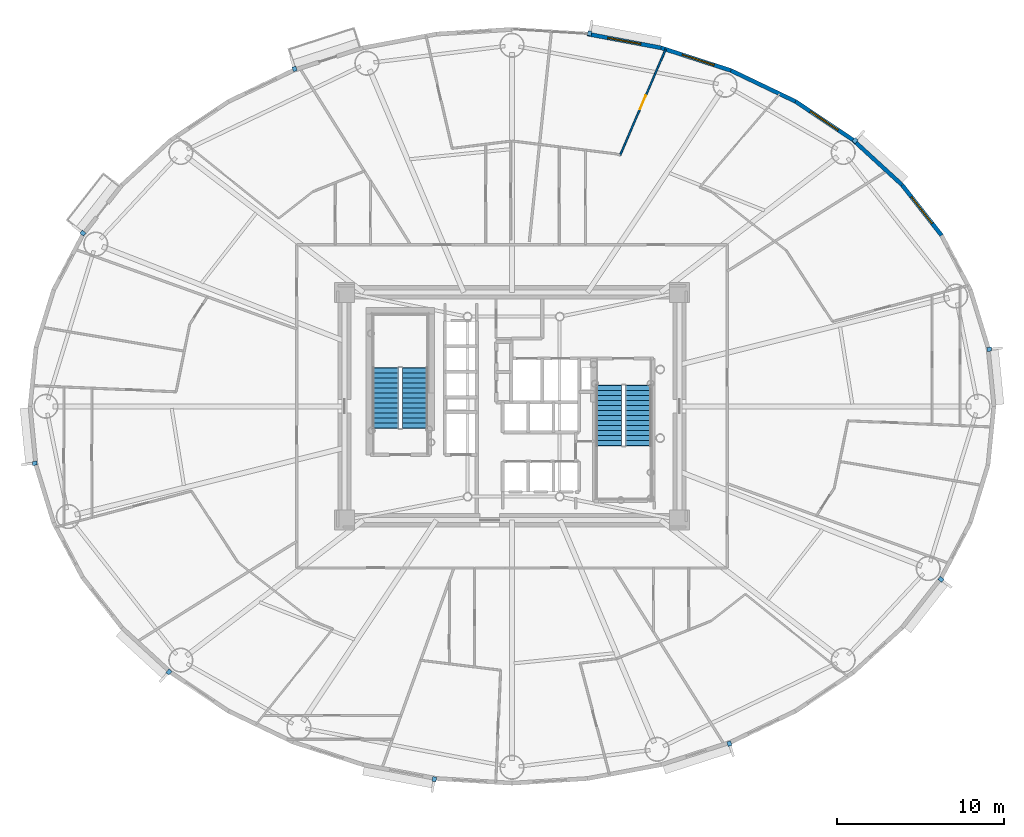
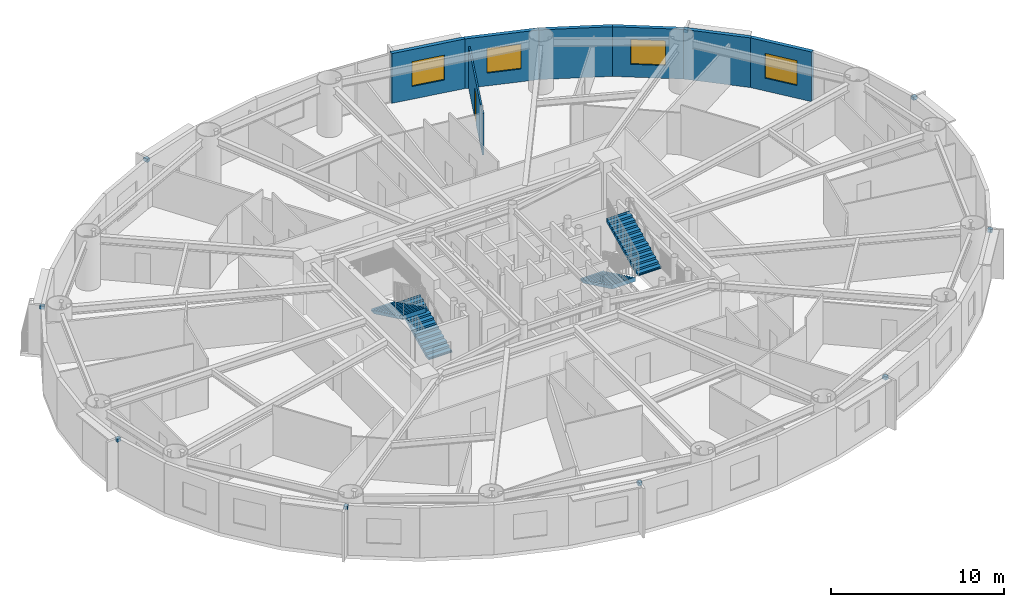
# One storey, part 13 of 19: 10 discrete accessories, 7 walls, 4 stair flights, 4 windows, 1 door, 5 openings, 2 elements without a shape of their own.
"""IFC4 building model written with IfcOpenShell, lengths in metres."""

from ifc_helpers import new_model, si_unit, direction, frame, frame_2d, origin, origin_2d, place, context, subcontext, project, spatial, polyline, rectangle, outline, extrude, source, transform, mapped, material, layer, layer_set, type_object, element, fill, aggregate, save


model = new_model("IFC4")

# Units and contexts
model_context = context("Model", 3, precision=1e-05, world=origin(), true_north=direction((0.0, 1.0)))
body_context = subcontext(model_context, "Body", "Model", "MODEL_VIEW")
ifc_project = project(units=[si_unit("LENGTHUNIT", "METRE"), si_unit("AREAUNIT", "SQUARE_METRE"), si_unit("VOLUMEUNIT", "CUBIC_METRE"), si_unit("PLANEANGLEUNIT", "RADIAN"), si_unit("MASSUNIT", "GRAM", prefix="KILO")], contexts=[model_context])

# Site, building, storey
site_placement = place(None, origin())
site = spatial("IfcSite", under=ifc_project, at=site_placement, CompositionType="ELEMENT")
building_placement = place(site_placement, origin())
building = spatial("IfcBuilding", under=site, at=building_placement, Name="Linh Dai School and Residence Tower", CompositionType="ELEMENT")
storey_placement = place(building_placement, frame((0.0, 0.0, 119.699951171875)))
storey = spatial("IfcBuildingStorey", under=building, at=storey_placement, Name="L28", CompositionType="ELEMENT", Elevation=119.699951171875)

# Wall, opening, window
ifc_material_1 = material(Name="Precast Concrete B45 (C35/45)", Category="concrete")
ifc_layer_1 = layer(ifc_material_1, 0.239990234375)
ifc_layer_set_1 = layer_set([ifc_layer_1], Name="Precast Concrete B45 (C35/45)")
wall_type_1 = type_object("IfcWallType", Name="EW-TC-240", PredefinedType="SOLIDWALL", material=ifc_layer_set_1)
wall_1_placement = place(storey_placement, frame((59.2890625, 40.216552734375, 0.0), z_axis=(0.0, 0.0, 1.0), x_axis=(0.616272103517, -0.787533297345, 0.0)))
wall_1 = element("IfcWall", 1, at=wall_1_placement, inside=storey, type_object=wall_type_1, Name="L28 Terracotta Exterior Wall 04", PredefinedType="SOLIDWALL", context=body_context, shape_type="SweptSolid", body=[
    extrude(rectangle(XDim=3.8232421875, YDim=0.239990234375, at=frame_2d((1.91162109375, 0.0))), origin(), (0.0, 0.0, 1.0), 3.5),
])
opening_1_placement = place(wall_1_placement, frame((0.91162109375, 0.0, 0.89990234375)))
opening_1 = element("IfcOpeningElement", 2, at=opening_1_placement, cuts=wall_1, Name="Opening W1", PredefinedType="OPENING", context=body_context, shape_type="SweptSolid", body=[
    extrude(rectangle(XDim=2.0, YDim=1.75, at=origin_2d()), frame((1.0, 0.1298828125, 0.875), z_axis=(0.0, -1.0, 0.0), x_axis=(1.0, 0.0, 0.0)), (0.0, 0.0, 1.0), 0.260009765625),
])
ifc_material_2 = material(Name="Double Low-E Insulated Glazing", Category="glass")
window_type = type_object("IfcWindowType", Name="WN-RES-2000x1750", PartitioningType="DOUBLE_PANEL_VERTICAL", PredefinedType="WINDOW", material=ifc_material_2)
shared_shape_1 = source(origin(), body_context, "Body", "SweptSolid", [
    extrude(rectangle(XDim=2.0, YDim=1.75, at=origin_2d()), frame((1.0, 0.030029296875, 0.875), z_axis=(0.0, -1.0, 0.0), x_axis=(1.0, 0.0, 0.0)), (0.0, 0.0, 1.0), 0.06005859375),
])
window_1_placement = place(opening_1_placement, origin())
window_1 = element("IfcWindow", 3, at=window_1_placement, inside=storey, type_object=window_type, Name="L28 Exterior Window 04.1", OverallHeight=1.75, OverallWidth=2.0, PartitioningType="DOUBLE_PANEL_VERTICAL", PredefinedType="WINDOW", context=body_context, shape_type="MappedRepresentation", body=[
    mapped(shared_shape_1, transform((0.0, 0.0, 0.0), x_axis=(1.0, 0.0, 0.0), y_axis=(0.0, 1.0, 0.0), z_axis=(0.0, 0.0, 1.0), scale=1.0)),
])
fill(opening_1, window_1)

# Wall
wall_2_placement = place(storey_placement, frame((56.3583984375, 42.9033203125, 0.0), z_axis=(0.0, 0.0, 1.0), x_axis=(0.737113356241, -0.675769117414, 0.0)))
element("IfcWall", 4, at=wall_2_placement, inside=storey, type_object=wall_type_1, Name="L28 Terracotta Exterior Wall 05", PredefinedType="SOLIDWALL", context=body_context, shape_type="SweptSolid", body=[
    extrude(rectangle(XDim=3.975830078125, YDim=0.239990234375, at=frame_2d((1.98779296875, 0.0))), origin(), (0.0, 0.0, 1.0), 3.5),
])

# Wall, opening, window
wall_3_placement = place(storey_placement, frame((52.92529296875, 45.199462890625, 0.0), z_axis=(0.0, 0.0, 1.0), x_axis=(0.831221811447, -0.555940914284, 0.0)))
wall_3 = element("IfcWall", 5, at=wall_3_placement, inside=storey, type_object=wall_type_1, Name="L28 Terracotta Exterior Wall 06", PredefinedType="SOLIDWALL", context=body_context, shape_type="SweptSolid", body=[
    extrude(rectangle(XDim=4.130126953125, YDim=0.239990234375, at=frame_2d((2.06494140625, 0.0))), origin(), (0.0, 0.0, 1.0), 3.5),
])
opening_2_placement = place(wall_3_placement, frame((1.06494140625, 0.0, 0.89990234375)))
opening_2 = element("IfcOpeningElement", 6, at=opening_2_placement, cuts=wall_3, Name="Opening W1", PredefinedType="OPENING", context=body_context, shape_type="SweptSolid", body=[
    extrude(rectangle(XDim=2.0, YDim=1.75, at=origin_2d()), frame((1.0, 0.1298828125, 0.875), z_axis=(0.0, -1.0, 0.0), x_axis=(1.0, 0.0, 0.0)), (0.0, 0.0, 1.0), 0.260009765625),
])
window_2_placement = place(opening_2_placement, origin())
window_2 = element("IfcWindow", 7, at=window_2_placement, inside=storey, type_object=window_type, Name="L28 Exterior Window 06.1", OverallHeight=1.75, OverallWidth=2.0, PartitioningType="DOUBLE_PANEL_VERTICAL", PredefinedType="WINDOW", context=body_context, shape_type="MappedRepresentation", body=[
    mapped(shared_shape_1, transform((0.0, 0.0, 0.0), x_axis=(1.0, 0.0, 0.0), y_axis=(0.0, 1.0, 0.0), z_axis=(0.0, 0.0, 1.0), scale=1.0)),
])
fill(opening_2, window_2)

# Wall
wall_4_placement = place(storey_placement, frame((49.073974609375, 47.04736328125, 0.0), z_axis=(0.0, 0.0, 1.0), x_axis=(0.901589935876, -0.432591709962, 0.0)))
element("IfcWall", 8, at=wall_4_placement, inside=storey, type_object=wall_type_1, Name="L28 Terracotta Exterior Wall 07", PredefinedType="SOLIDWALL", context=body_context, shape_type="SweptSolid", body=[
    extrude(rectangle(XDim=4.271728515625, YDim=0.239990234375, at=frame_2d((2.1357421875, 0.0))), origin(), (0.0, 0.0, 1.0), 3.5),
])

# Wall, opening, window
wall_5_placement = place(storey_placement, frame((44.899658203125, 48.4013671875, 0.0), z_axis=(0.0, 0.0, 1.0), x_axis=(0.951211346073, -0.308540070495, 0.0)))
wall_5 = element("IfcWall", 9, at=wall_5_placement, inside=storey, type_object=wall_type_1, Name="L28 Terracotta Exterior Wall 08", PredefinedType="SOLIDWALL", context=body_context, shape_type="SweptSolid", body=[
    extrude(rectangle(XDim=4.388427734375, YDim=0.239990234375, at=frame_2d((2.1943359375, 0.0))), origin(), (0.0, 0.0, 1.0), 3.5),
])
opening_3_placement = place(wall_5_placement, frame((1.329345703125, 0.0, 0.89990234375)))
opening_3 = element("IfcOpeningElement", 10, at=opening_3_placement, cuts=wall_5, Name="Opening W1", PredefinedType="OPENING", context=body_context, shape_type="SweptSolid", body=[
    extrude(rectangle(XDim=2.0, YDim=1.75, at=origin_2d()), frame((1.0, 0.1298828125, 0.875), z_axis=(0.0, -1.0, 0.0), x_axis=(1.0, 0.0, 0.0)), (0.0, 0.0, 1.0), 0.260009765625),
])
window_3_placement = place(opening_3_placement, origin())
window_3 = element("IfcWindow", 11, at=window_3_placement, inside=storey, type_object=window_type, Name="L28 Exterior Window 08.1", OverallHeight=1.75, OverallWidth=2.0, PartitioningType="DOUBLE_PANEL_VERTICAL", PredefinedType="WINDOW", context=body_context, shape_type="MappedRepresentation", body=[
    mapped(shared_shape_1, transform((0.0, 0.0, 0.0), x_axis=(1.0, 0.0, 0.0), y_axis=(0.0, 1.0, 0.0), z_axis=(0.0, 0.0, 1.0), scale=1.0)),
])
fill(opening_3, window_3)

wall_6_placement = place(storey_placement, frame((40.505615234375, 49.227294921875, 0.0), z_axis=(0.0, 0.0, 1.0), x_axis=(0.982789252177, -0.184730305596, 0.0)))
wall_6 = element("IfcWall", 12, at=wall_6_placement, inside=storey, type_object=wall_type_1, Name="L28 Terracotta Exterior Wall 09", PredefinedType="SOLIDWALL", context=body_context, shape_type="SweptSolid", body=[
    extrude(rectangle(XDim=4.470947265625, YDim=0.239990234375, at=frame_2d((2.2353515625, 0.0))), origin(), (0.0, 0.0, 1.0), 3.5),
])
opening_4_placement = place(wall_6_placement, frame((1.235595703125, 0.0, 0.89990234375)))
opening_4 = element("IfcOpeningElement", 13, at=opening_4_placement, cuts=wall_6, Name="Opening W1", PredefinedType="OPENING", context=body_context, shape_type="SweptSolid", body=[
    extrude(rectangle(XDim=2.0, YDim=1.75, at=origin_2d()), frame((1.0, 0.1298828125, 0.875), z_axis=(0.0, -1.0, 0.0), x_axis=(1.0, 0.0, 0.0)), (0.0, 0.0, 1.0), 0.260009765625),
])
window_4_placement = place(opening_4_placement, origin())
window_4 = element("IfcWindow", 14, at=window_4_placement, inside=storey, type_object=window_type, Name="L28 Exterior Window 09.1", OverallHeight=1.75, OverallWidth=2.0, PartitioningType="DOUBLE_PANEL_VERTICAL", PredefinedType="WINDOW", context=body_context, shape_type="MappedRepresentation", body=[
    mapped(shared_shape_1, transform((0.0, 0.0, 0.0), x_axis=(1.0, 0.0, 0.0), y_axis=(0.0, 1.0, 0.0), z_axis=(0.0, 0.0, 1.0), scale=1.0)),
])
fill(opening_4, window_4)

# Wall, opening, door
ifc_material_3 = material(Name="Gypsum Plasterboard Acoustic Stud Partition", Category="masonry")
ifc_layer_2 = layer(ifc_material_3, 0.10009765625)
ifc_layer_set_2 = layer_set([ifc_layer_2], Name="Gypsum Plasterboard Acoustic Stud Partition")
wall_type_2 = type_object("IfcWallType", Name="IW-UNIT-100", PredefinedType="PARTITIONING", material=ifc_layer_set_2)
wall_7_placement = place(storey_placement, frame((42.451904296875, 41.985595703125, 0.0), z_axis=(0.0, 0.0, 1.0), x_axis=(0.395466235438, 0.918480515105, 0.0)))
wall_7 = element("IfcWall", 15, at=wall_7_placement, inside=storey, type_object=wall_type_2, Name="L28 Interior Partition Wall 081", PredefinedType="PARTITIONING", context=body_context, shape_type="SweptSolid", body=[
    extrude(rectangle(XDim=6.892578125, YDim=0.10009765625, at=frame_2d((3.4462890625, 0.0))), origin(), (0.0, 0.0, 1.0), 2.93505859375),
])
opening_5_placement = place(wall_7_placement, frame((2.996337890625, 0.0, 0.0)))
opening_5 = element("IfcOpeningElement", 16, at=opening_5_placement, cuts=wall_7, Name="Opening D05", PredefinedType="OPENING", context=body_context, shape_type="SweptSolid", body=[
    extrude(rectangle(XDim=0.89990234375, YDim=2.10009765625, at=origin_2d()), frame((0.449951171875, 0.06005859375, 1.050048828125), z_axis=(0.0, -1.0, 0.0), x_axis=(1.0, 0.0, 0.0)), (0.0, 0.0, 1.0), 0.1201171875),
])
ifc_material_4 = material(Name="Engineered Timber Internal Door", Category="wood")
door_type = type_object("IfcDoorType", Name="DR-INT-900x2100", OperationType="NOTDEFINED", PredefinedType="DOOR", material=ifc_material_4)
shared_shape_2 = source(origin(), body_context, "Body", "SweptSolid", [
    extrude(rectangle(XDim=0.89990234375, YDim=2.10009765625, at=origin_2d()), frame((0.449951171875, 0.02490234375, 1.050048828125), z_axis=(0.0, -1.0, 0.0), x_axis=(1.0, 0.0, 0.0)), (0.0, 0.0, 1.0), 0.050048828125),
])
door_placement = place(opening_5_placement, origin())
door = element("IfcDoor", 17, at=door_placement, inside=storey, type_object=door_type, Name="L28 Apartment U2808 Principal Bedroom 2 Door", OperationType="SINGLE_SWING_RIGHT", OverallHeight=2.10009765625, OverallWidth=0.89990234375, PredefinedType="DOOR", context=body_context, shape_type="MappedRepresentation", body=[
    mapped(shared_shape_2, transform((0.0, 0.0, 0.0), x_axis=(1.0, 0.0, 0.0), y_axis=(0.0, 1.0, 0.0), z_axis=(0.0, 0.0, 1.0), scale=1.0)),
])
fill(opening_5, door)

# Stair, stair flights
ifc_material_5 = material(Name="Concrete B45 (C35/45)", Category="concrete")
stair_type = type_object("IfcStairType", Name="ST-DOG-1550-R1442", PredefinedType="HALF_TURN_STAIR", material=ifc_material_5)
stair_1_placement = place(storey_placement, origin())
stair_1 = element("IfcStair", 18, at=stair_1_placement, inside=storey, type_object=stair_type, Name="L28 Core Smokeproof Exit Stair ST1", PredefinedType="HALF_TURN_STAIR")
stair_flight_type = type_object("IfcStairFlightType", Name="STF-STR-1550-R1442", PredefinedType="STRAIGHT", material=ifc_material_5)
shared_shape_3 = source(origin(), body_context, "Body", "SweptSolid", [
    extrude(outline(polyline([(-0.02490234375, 0.0), (-0.02490234375, 0.06005859375), (0.0, 0.06005859375), (0.0, 0.144287109375), (0.300048828125, 0.144287109375), (0.300048828125, 0.28857421875), (0.60009765625, 0.28857421875), (0.60009765625, 0.4326171875), (0.89990234375, 0.4326171875), (0.89990234375, 0.576904296875), (1.199951171875, 0.576904296875), (1.199951171875, 0.72119140625), (1.5, 0.72119140625), (1.5, 0.865478515625), (1.800048828125, 0.865478515625), (1.800048828125, 1.009521484375), (2.10009765625, 1.009521484375), (2.10009765625, 1.15380859375), (2.39990234375, 1.15380859375), (2.39990234375, 1.298095703125), (2.699951171875, 1.298095703125), (2.699951171875, 1.4423828125), (3.0, 1.4423828125), (3.0, 1.58642578125), (3.300048828125, 1.58642578125), (3.300048828125, 1.730712890625), (3.60009765625, 1.730712890625), (3.60009765625, 1.875), (3.625, 1.875), (3.625, 1.564453125), (3.60009765625, 1.564453125), (0.345947265625, 0.0), (-0.02490234375, 0.0)])), frame((0.0, 0.77490234375, 0.0), z_axis=(0.0, -1.0, 0.0), x_axis=(1.0, 0.0, 0.0)), (0.0, 0.0, 1.0), 1.550048828125),
])
stair_flight_1_placement = place(storey_placement, frame((30.205078125, 25.699951171875, 0.0), z_axis=(0.0, 0.0, 1.0), x_axis=(0.0, 1.0, 0.0)))
stair_flight_1 = element("IfcStairFlight", 19, at=stair_flight_1_placement, type_object=stair_flight_type, Name="ST1 flight 1", NumberOfRisers=13, NumberOfTreads=12, PredefinedType="STRAIGHT", RiserHeight=0.144230769, TreadLength=0.3, context=body_context, shape_type="MappedRepresentation", body=[
    mapped(shared_shape_3, transform((0.0, 0.0, 0.0), x_axis=(1.0, 0.0, 0.0), y_axis=(0.0, 1.0, 0.0), z_axis=(0.0, 0.0, 1.0), scale=1.0)),
])
stair_flight_2_placement = place(storey_placement, frame((28.455078125, 29.300048828125, 1.875), z_axis=(0.0, 0.0, 1.0), x_axis=(0.0, -1.0, 0.0)))
stair_flight_2 = element("IfcStairFlight", 20, at=stair_flight_2_placement, type_object=stair_flight_type, Name="ST1 flight 2", NumberOfRisers=13, NumberOfTreads=12, PredefinedType="STRAIGHT", RiserHeight=0.144230769, TreadLength=0.3, context=body_context, shape_type="MappedRepresentation", body=[
    mapped(shared_shape_3, transform((0.0, 0.0, 0.0), x_axis=(1.0, 0.0, 0.0), y_axis=(0.0, 1.0, 0.0), z_axis=(0.0, 0.0, 1.0), scale=1.0)),
])
aggregate(stair_1, [stair_flight_1, stair_flight_2])

stair_2_placement = place(storey_placement, origin())
stair_2 = element("IfcStair", 21, at=stair_2_placement, inside=storey, type_object=stair_type, Name="L28 Core Smokeproof Exit Stair ST2", PredefinedType="HALF_TURN_STAIR")
stair_flight_3_placement = place(storey_placement, frame((41.794921875, 28.25, 0.0), z_axis=(0.0, 0.0, 1.0), x_axis=(0.0, -1.0, 0.0)))
stair_flight_3 = element("IfcStairFlight", 22, at=stair_flight_3_placement, type_object=stair_flight_type, Name="ST2 flight 1", NumberOfRisers=13, NumberOfTreads=12, PredefinedType="STRAIGHT", RiserHeight=0.144230769, TreadLength=0.3, context=body_context, shape_type="MappedRepresentation", body=[
    mapped(shared_shape_3, transform((0.0, 0.0, 0.0), x_axis=(1.0, 0.0, 0.0), y_axis=(0.0, 1.0, 0.0), z_axis=(0.0, 0.0, 1.0), scale=1.0)),
])
stair_flight_4_placement = place(storey_placement, frame((43.544921875, 24.64990234375, 1.875), z_axis=(0.0, 0.0, 1.0), x_axis=(0.0, 1.0, 0.0)))
stair_flight_4 = element("IfcStairFlight", 23, at=stair_flight_4_placement, type_object=stair_flight_type, Name="ST2 flight 2", NumberOfRisers=13, NumberOfTreads=12, PredefinedType="STRAIGHT", RiserHeight=0.144230769, TreadLength=0.3, context=body_context, shape_type="MappedRepresentation", body=[
    mapped(shared_shape_3, transform((0.0, 0.0, 0.0), x_axis=(1.0, 0.0, 0.0), y_axis=(0.0, 1.0, 0.0), z_axis=(0.0, 0.0, 1.0), scale=1.0)),
])
aggregate(stair_2, [stair_flight_3, stair_flight_4])

# Discrete accessories
ifc_material_6 = material(Name="Structural Steel S355JR", Category="steel")
discrete_accessory_type = type_object("IfcDiscreteAccessoryType", Name="ACC-BRK-S355", PredefinedType="BRACKET", material=ifc_material_6)
shared_shape_4 = source(origin(), body_context, "Body", "SweptSolid", [
    extrude(rectangle(XDim=0.280029296875, YDim=0.239990234375, at=origin_2d()), origin(), (0.0, 0.0, 1.0), 0.219970703125),
])
for number, where, z_axis, x_axis, name in (
    (24, (64.493408203125, 30.40185546875, 3.25), (0.0, 0.0, 1.0), (0.994986703684, 0.100007297192, 0.0), "L28 Facade Frame Anchor Bracket 01"),
    (25, (56.4873046875, 42.866455078125, 3.25), (0.0, 0.0, 1.0), (0.675783395482, 0.737100266172, 0.0), "L28 Facade Frame Anchor Bracket 05"),
    (26, (40.634521484375, 49.26416015625, 3.25), (0.0, 0.0, 1.0), (0.18475466193, 0.982784673718, 0.0), "L28 Facade Frame Anchor Bracket 09"),
    (27, (23.021728515625, 47.1416015625, 3.25), (0.0, 0.0, 1.0), (-0.308522363457, 0.951217089442, 0.0), "L28 Facade Frame Anchor Bracket 13"),
    (28, (10.38134765625, 37.337158203125, 3.25), (0.0, 0.0, 1.0), (-0.787507539838, 0.616305017583, 0.0), "L28 Facade Frame Anchor Bracket 17"),
    (29, (7.506591796875, 23.59814453125, 3.25), (0.0, 0.0, 1.0), (-0.994986703684, -0.100007297192, 0.0), "L28 Facade Frame Anchor Bracket 21"),
    (30, (15.5126953125, 11.133544921875, 3.25), (0.0, 0.0, 1.0), (-0.675783395482, -0.737100266172, 0.0), "L28 Facade Frame Anchor Bracket 25"),
    (31, (31.365478515625, 4.73583984375, 3.25), (0.0, 0.0, 1.0), (-0.18475466193, -0.982784673718, 0.0), "L28 Facade Frame Anchor Bracket 29"),
    (32, (48.978271484375, 6.8583984375, 3.25), (0.0, 0.0, 1.0), (0.308522363457, -0.951217089442, 0.0), "L28 Facade Frame Anchor Bracket 33"),
    (33, (61.61865234375, 16.662841796875, 3.25), (0.0, 0.0, 1.0), (0.787507539838, -0.616305017583, 0.0), "L28 Facade Frame Anchor Bracket 37"),
):
    element("IfcDiscreteAccessory", number, at=place(storey_placement, frame(where, z_axis=z_axis, x_axis=x_axis)), inside=storey, type_object=discrete_accessory_type, Name=name, PredefinedType="BRACKET", context=body_context, shape_type="MappedRepresentation", body=[
        mapped(shared_shape_4, transform((0.0, 0.0, 0.0), x_axis=(1.0, 0.0, 0.0), y_axis=(0.0, 1.0, 0.0), z_axis=(0.0, 0.0, 1.0), scale=1.0)),
    ])

save(model, "model.ifc")
